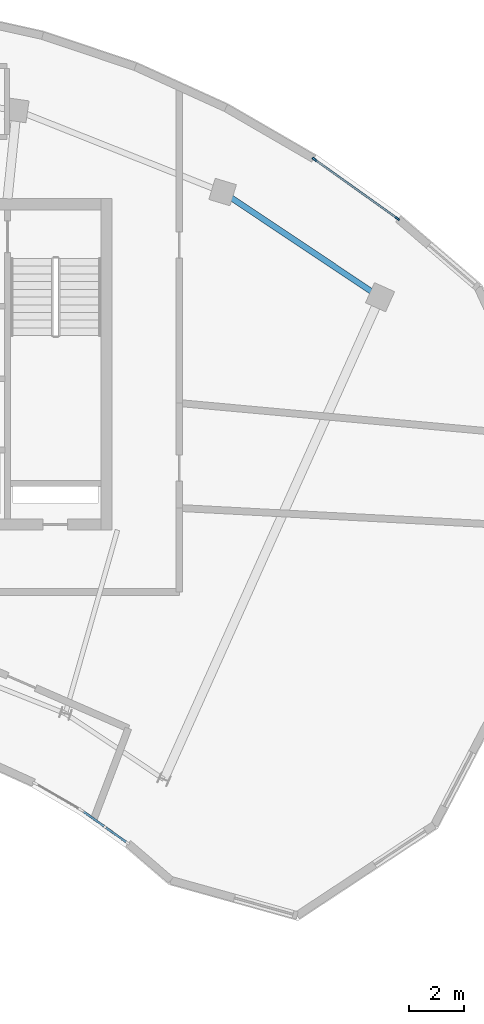
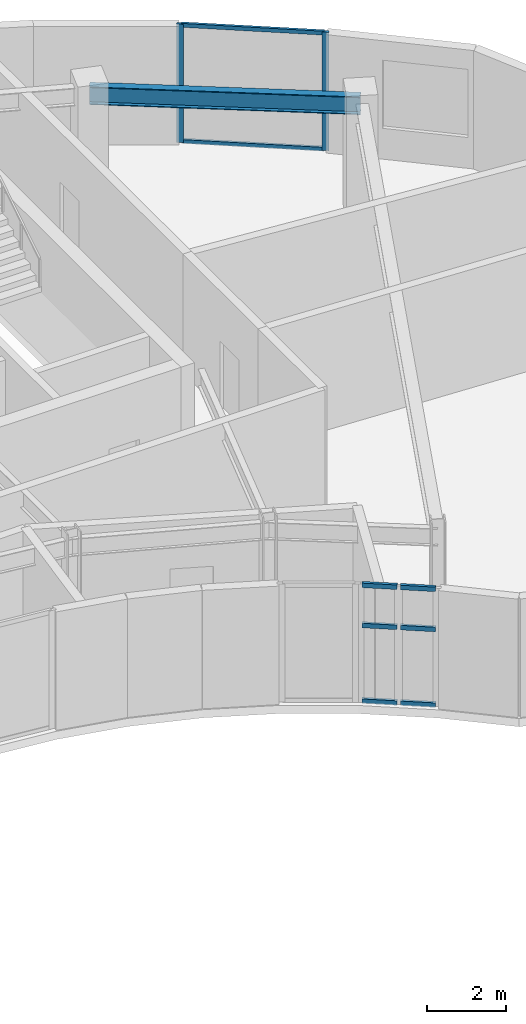
# One storey, part 5 of 12: 10 members, 1 beam, 2 elements without a shape of their own.
"""IFC4 building model written with IfcOpenShell, lengths in metres."""

from ifc_helpers import new_model, si_unit, direction, frame, origin, origin_2d, place, context, subcontext, project, spatial, rectangle, i_section, extrude, source, transform, mapped, material, layer, layer_set, material_profile, profile_set, type_object, element, aggregate, save


model = new_model("IFC4")

# Units and contexts
model_context = context("Model", 3, precision=1e-05, world=origin(), true_north=direction((0.0, 1.0)))
body_context = subcontext(model_context, "Body", "Model", "MODEL_VIEW")
ifc_project = project(units=[si_unit("LENGTHUNIT", "METRE"), si_unit("AREAUNIT", "SQUARE_METRE"), si_unit("VOLUMEUNIT", "CUBIC_METRE"), si_unit("PLANEANGLEUNIT", "RADIAN"), si_unit("MASSUNIT", "GRAM", prefix="KILO")], contexts=[model_context])

# Site, building, storey
site_placement = place(None, origin())
site = spatial("IfcSite", under=ifc_project, at=site_placement, CompositionType="ELEMENT")
building_placement = place(site_placement, origin())
building = spatial("IfcBuilding", under=site, at=building_placement, Name="Breltana Convention Tower", CompositionType="ELEMENT")
storey_placement = place(building_placement, frame((0.0, 0.0, 260.10009765625)))
storey = spatial("IfcBuildingStorey", under=building, at=storey_placement, Name="L63", CompositionType="ELEMENT", Elevation=260.10009765625)

# Beam
ifc_material_1 = material(Name="Steel ASTM A992 Grade 50", Category="steel")
ifc_material_profile_1 = material_profile(ifc_material_1, i_section(OverallWidth=0.214111328125, OverallDepth=0.549072265625, WebThickness=0.0146484375, FlangeThickness=0.023681640625, at=origin_2d()), Name="W21X93")
ifc_profile_set_1 = profile_set([ifc_material_profile_1], Name="Steel ASTM A992 Grade 50")
beam_type = type_object("IfcBeamType", Name="BM-SP-W21X93", PredefinedType="SPANDREL", material=ifc_profile_set_1)
shared_shape_1 = source(origin(), body_context, "Body", "SweptSolid", [
    extrude(i_section(OverallWidth=0.214111328125, OverallDepth=0.549072265625, WebThickness=0.0146484375, FlangeThickness=0.023681640625, at=origin_2d()), origin(), (0.0, 0.0, 1.0), 6.856689453125),
])
beam_placement = place(storey_placement, frame((63.208984375, 72.4423828125, 3.37548828125), z_axis=(0.83150210718, -0.55552159792, 0.0), x_axis=(0.55552159792, 0.83150210718, 0.0)))
element("IfcBeam", 1, at=beam_placement, inside=storey, type_object=beam_type, Name="L63 Outer Spandrel Beam 08", PredefinedType="SPANDREL", context=body_context, shape_type="MappedRepresentation", body=[
    mapped(shared_shape_1, transform((0.0, 0.0, 0.0), scale=1.0)),
])

# Curtain wall, members
ifc_material_2 = material(Name="Aluminium Anodised Bronze Frame", Category="aluminium")
ifc_layer_1 = layer(ifc_material_2, 0.22998046875, Name="Aluminium Anodised Bronze Frame")
ifc_layer_set_1 = layer_set([ifc_layer_1], Name="Aluminium Anodised Bronze Frame")
curtain_wall_type_1 = type_object("IfcCurtainWallType", Name="CW-SYS-5", PredefinedType="NOTDEFINED", material=ifc_layer_set_1)
curtain_wall_1_placement = place(storey_placement, origin())
curtain_wall_1 = element("IfcCurtainWall", 2, at=curtain_wall_1_placement, inside=storey, type_object=curtain_wall_type_1, Name="L63 outer double-skin inner glazing 5", PredefinedType="NOTDEFINED")
ifc_material_3 = material(Name="Aluminium Anodised Bronze", Category="aluminium")
ifc_material_profile_2 = material_profile(ifc_material_3, rectangle(XDim=0.070068359375, YDim=0.175048828125, at=origin_2d()), Name="CWM-70X175")
ifc_profile_set_2 = profile_set([ifc_material_profile_2], Name="Aluminium Anodised Bronze")
member_type_1 = type_object("IfcMemberType", Name="CWM-175", PredefinedType="MULLION", material=ifc_profile_set_2)
shared_shape_2 = source(origin(), body_context, "Body", "SweptSolid", [
    extrude(rectangle(XDim=0.070068359375, YDim=0.175048828125, at=origin_2d()), origin(), (0.0, 0.0, 1.0), 3.64990234375),
])
member_1_placement = place(storey_placement, frame((66.534912109375, 73.62744140625, 0.0), z_axis=(0.0, 0.0, 1.0), x_axis=(0.58066153376, 0.814145062757, 0.0)))
member_1 = element("IfcMember", 3, at=member_1_placement, type_object=member_type_1, Name="CW-05 mullion 1", PredefinedType="MULLION", context=body_context, shape_type="MappedRepresentation", body=[
    mapped(shared_shape_2, transform((0.0, 0.0, 0.0), scale=1.0)),
])
member_2_placement = place(storey_placement, frame((69.537109375, 71.486328125, 0.0), z_axis=(0.0, 0.0, 1.0), x_axis=(0.58066153376, 0.814145062757, 0.0)))
member_2 = element("IfcMember", 4, at=member_2_placement, type_object=member_type_1, Name="CW-05 mullion 2", PredefinedType="MULLION", context=body_context, shape_type="MappedRepresentation", body=[
    mapped(shared_shape_2, transform((0.0, 0.0, 0.0), scale=1.0)),
])

ifc_layer_2 = layer(ifc_material_2, 0.18994140625, Name="Aluminium Anodised Bronze Frame")
ifc_layer_set_2 = layer_set([ifc_layer_2], Name="Aluminium Anodised Bronze Frame")
curtain_wall_type_2 = type_object("IfcCurtainWallType", Name="CW-SYS-1", PredefinedType="NOTDEFINED", material=ifc_layer_set_2)
curtain_wall_2_placement = place(storey_placement, origin())
curtain_wall_2 = element("IfcCurtainWall", 5, at=curtain_wall_2_placement, inside=storey, type_object=curtain_wall_type_2, Name="L63 inner south-court glazing 1", PredefinedType="NOTDEFINED")
ifc_material_profile_3 = material_profile(ifc_material_3, rectangle(XDim=0.080078125, YDim=0.139892578125, at=origin_2d()), Name="CWT-80X140")
ifc_profile_set_3 = profile_set([ifc_material_profile_3], Name="Aluminium Anodised Bronze")
member_type_2 = type_object("IfcMemberType", Name="CWT-140", PredefinedType="USERDEFINED", material=ifc_profile_set_3)
shared_shape_3 = source(origin(), body_context, "Body", "SweptSolid", [
    extrude(rectangle(XDim=0.080078125, YDim=0.139892578125, at=origin_2d()), origin(), (0.0, 0.0, 1.0), 0.896240234375),
])
member_3_placement = place(storey_placement, frame((59.71142578125, 48.90478515625, 0.039794921875), z_axis=(-0.814027888209, 0.580825789043, 0.0), x_axis=(-0.580825789043, -0.814027888209, 0.0)))
member_3 = element("IfcMember", 6, at=member_3_placement, type_object=member_type_2, Name="CW-01 transom 1.1", ObjectType="TRANSOM", PredefinedType="USERDEFINED", context=body_context, shape_type="MappedRepresentation", body=[
    mapped(shared_shape_3, transform((0.0, 0.0, 0.0), scale=1.0)),
])
member_4_placement = place(storey_placement, frame((59.71142578125, 48.90478515625, 2.372314453125), z_axis=(-0.814027888209, 0.580825789043, 0.0), x_axis=(-0.580825789043, -0.814027888209, 0.0)))
member_4 = element("IfcMember", 7, at=member_4_placement, type_object=member_type_2, Name="CW-01 transom 1.2", ObjectType="TRANSOM", PredefinedType="USERDEFINED", context=body_context, shape_type="MappedRepresentation", body=[
    mapped(shared_shape_3, transform((0.0, 0.0, 0.0), scale=1.0)),
])
member_5_placement = place(storey_placement, frame((59.71142578125, 48.90478515625, 3.60986328125), z_axis=(-0.814027888209, 0.580825789043, 0.0), x_axis=(-0.580825789043, -0.814027888209, 0.0)))
member_5 = element("IfcMember", 8, at=member_5_placement, type_object=member_type_2, Name="CW-01 transom 1.3", ObjectType="TRANSOM", PredefinedType="USERDEFINED", context=body_context, shape_type="MappedRepresentation", body=[
    mapped(shared_shape_3, transform((0.0, 0.0, 0.0), scale=1.0)),
])
member_6_placement = place(storey_placement, frame((58.916748046875, 49.4716796875, 0.039794921875), z_axis=(-0.814248531109, 0.58051643352, 0.0), x_axis=(-0.58051643352, -0.814248531109, 0.0)))
member_6 = element("IfcMember", 9, at=member_6_placement, type_object=member_type_2, Name="CW-01 transom 2.1", ObjectType="TRANSOM", PredefinedType="USERDEFINED", context=body_context, shape_type="MappedRepresentation", body=[
    mapped(shared_shape_3, transform((0.0, 0.0, 0.0), scale=1.0)),
])
member_7_placement = place(storey_placement, frame((58.916748046875, 49.4716796875, 2.372314453125), z_axis=(-0.814248531109, 0.58051643352, 0.0), x_axis=(-0.58051643352, -0.814248531109, 0.0)))
member_7 = element("IfcMember", 10, at=member_7_placement, type_object=member_type_2, Name="CW-01 transom 2.2", ObjectType="TRANSOM", PredefinedType="USERDEFINED", context=body_context, shape_type="MappedRepresentation", body=[
    mapped(shared_shape_3, transform((0.0, 0.0, 0.0), scale=1.0)),
])
member_8_placement = place(storey_placement, frame((58.916748046875, 49.4716796875, 3.60986328125), z_axis=(-0.814248531109, 0.58051643352, 0.0), x_axis=(-0.58051643352, -0.814248531109, 0.0)))
member_8 = element("IfcMember", 11, at=member_8_placement, type_object=member_type_2, Name="CW-01 transom 2.3", ObjectType="TRANSOM", PredefinedType="USERDEFINED", context=body_context, shape_type="MappedRepresentation", body=[
    mapped(shared_shape_3, transform((0.0, 0.0, 0.0), scale=1.0)),
])
aggregate(curtain_wall_2, [member_3, member_4, member_5, member_6, member_7, member_8])

# Member
ifc_material_profile_4 = material_profile(ifc_material_3, rectangle(XDim=0.070068359375, YDim=0.1201171875, at=origin_2d()), Name="CWT-70X120")
ifc_profile_set_4 = profile_set([ifc_material_profile_4], Name="Aluminium Anodised Bronze")
member_type_3 = type_object("IfcMemberType", Name="CWT-120", PredefinedType="USERDEFINED", material=ifc_profile_set_4)
shared_shape_4 = source(origin(), body_context, "Body", "SweptSolid", [
    extrude(rectangle(XDim=0.070068359375, YDim=0.1201171875, at=origin_2d()), origin(), (0.0, 0.0, 1.0), 3.617431640625),
])
member_9_placement = place(storey_placement, frame((66.5634765625, 73.607177734375, 0.034912109375), z_axis=(0.814130012503, -0.58068263513, 0.0), x_axis=(0.58068263513, 0.814130012503, 0.0)))
member_9 = element("IfcMember", 12, at=member_9_placement, type_object=member_type_3, Name="CW-05 transom 1.1", ObjectType="TRANSOM", PredefinedType="USERDEFINED", context=body_context, shape_type="MappedRepresentation", body=[
    mapped(shared_shape_4, transform((0.0, 0.0, 0.0), scale=1.0)),
])

member_10_placement = place(storey_placement, frame((66.5634765625, 73.607177734375, 3.614990234375), z_axis=(0.814130012503, -0.58068263513, 0.0), x_axis=(0.58068263513, 0.814130012503, 0.0)))
member_10 = element("IfcMember", 13, at=member_10_placement, type_object=member_type_3, Name="CW-05 transom 1.2", ObjectType="TRANSOM", PredefinedType="USERDEFINED", context=body_context, shape_type="MappedRepresentation", body=[
    mapped(shared_shape_4, transform((0.0, 0.0, 0.0), scale=1.0)),
])

aggregate(curtain_wall_1, [member_1, member_2, member_9, member_10])

save(model, "model.ifc")
